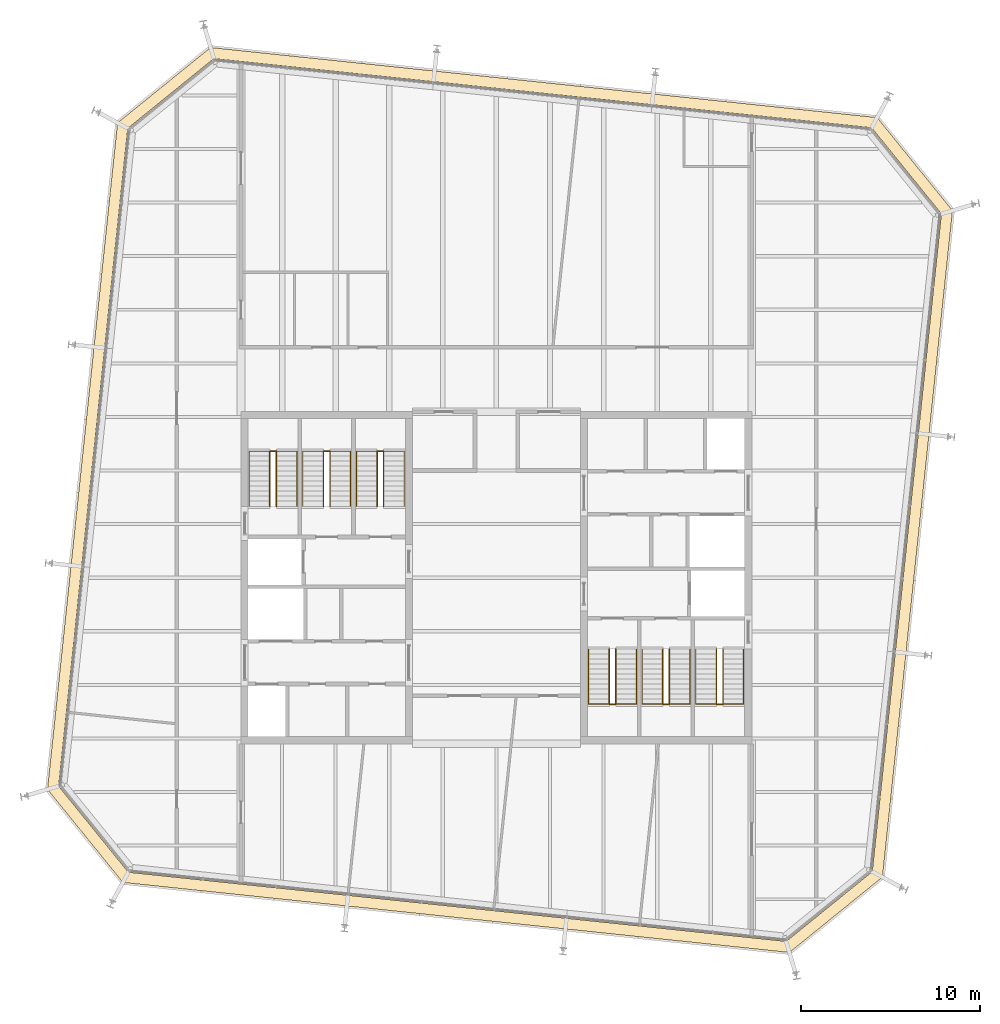
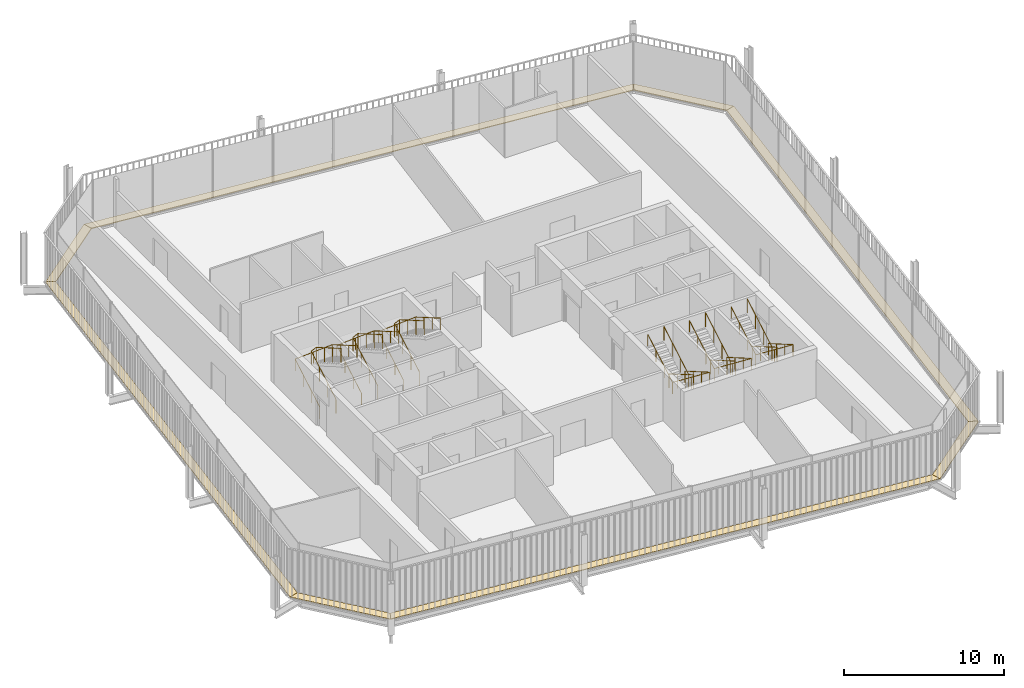
# One storey, part 20 of 20: 12 railings, 8 coverings.
"""IFC4 building model written with IfcOpenShell, lengths in metres."""

import ifcopenshell
import ifcopenshell.guid

model = None  # the IFC model being written
_history = None  # IfcOwnerHistory: only IFC2X3 demands one
_inside = {}  # id of a spatial element -> (the spatial element, [elements in it])
_under = {}  # id of a project, library or spatial element -> (it, [spatial elements below it])
_declared = {}  # id of a project -> (the project, [libraries it declares])
_typed = {}  # id of a type object -> (the type object, [elements of that type])
_made_of = {}  # id of a material, layer set ... -> (it, [elements and type objects made of it])


def new_model(schema):
    """Start an empty IFC model of exactly this schema.

    Asked for "IFC4X3", IfcOpenShell would pick the latest addendum, in which some entities
    have other attributes; the version numbers below select the first issue.
    IFC2X3 requires an IfcOwnerHistory on every rooted entity: one is made here for all.
    """
    global model, _history
    if schema == "IFC4X3":
        model = ifcopenshell.file(schema_version=(4, 3, 0, 0))
    else:
        model = ifcopenshell.file(schema=schema)
    _inside.clear()
    _under.clear()
    _declared.clear()
    _typed.clear()
    _made_of.clear()
    _history = None
    if model.schema == "IFC2X3":
        org = make("IfcOrganization", Name="unknown")
        user = make(
            "IfcPersonAndOrganization",
            ThePerson=make("IfcPerson", FamilyName="unknown"),
            TheOrganization=org,
        )
        app = make(
            "IfcApplication",
            ApplicationDeveloper=org,
            Version="unknown",
            ApplicationFullName="unknown",
            ApplicationIdentifier="unknown",
        )
        _history = make(
            "IfcOwnerHistory",
            OwningUser=user,
            OwningApplication=app,
            ChangeAction="ADDED",
            CreationDate=0,
        )
    return model


def make(cls, **values):
    """One entity of the class cls with the attributes given. An attribute that is None is left unset."""
    return model.create_entity(
        cls, **{name: value for name, value in values.items() if value is not None}
    )


def rooted(cls, **values):
    """An entity with a GlobalId (a new one), such as an element, a storey or a relation."""
    return make(cls, GlobalId=ifcopenshell.guid.new(), OwnerHistory=_history, **values)


def si_unit(unit_type, name, prefix=None):
    """IfcSIUnit, for example si_unit("LENGTHUNIT", "METRE", prefix="MILLI")."""
    return make("IfcSIUnit", UnitType=unit_type, Prefix=prefix, Name=name)


def assignment(units):
    """IfcUnitAssignment: the units of a project."""
    return None if units is None else make("IfcUnitAssignment", Units=units)


def point(xyz):
    """IfcCartesianPoint."""
    return None if xyz is None else make("IfcCartesianPoint", Coordinates=xyz)


def direction(xyz):
    """IfcDirection."""
    return None if xyz is None else make("IfcDirection", DirectionRatios=xyz)


def frame(location, z_axis=None, x_axis=None):
    """IfcAxis2Placement3D, a coordinate frame: its origin and axes. An axis left out is left unset."""
    return make(
        "IfcAxis2Placement3D",
        Location=point(location),
        Axis=direction(z_axis),
        RefDirection=direction(x_axis),
    )


def frame_2d(location, x_axis=None):
    """IfcAxis2Placement2D, a coordinate frame in the plane: its origin and x axis."""
    return make(
        "IfcAxis2Placement2D", Location=point(location), RefDirection=direction(x_axis)
    )


def origin():
    """The frame at (0, 0, 0) with its axes left unset."""
    return frame((0.0, 0.0, 0.0))


def origin_2d():
    """The frame at (0, 0) in the plane with its x axis left unset."""
    return frame_2d((0.0, 0.0))


def place(relative_to, where):
    """IfcLocalPlacement: puts the frame where relative to a parent placement (None: the world)."""
    return make(
        "IfcLocalPlacement", PlacementRelTo=relative_to, RelativePlacement=where
    )


def context(
    kind, dimensions, precision=None, world=None, true_north=None, identifier=None
):
    """IfcGeometricRepresentationContext, for example the 3D "Model" context."""
    return make(
        "IfcGeometricRepresentationContext",
        ContextIdentifier=identifier,
        ContextType=kind,
        CoordinateSpaceDimension=dimensions,
        Precision=precision,
        WorldCoordinateSystem=world,
        TrueNorth=true_north,
    )


def subcontext(parent, identifier, kind, view, scale=None):
    """IfcGeometricRepresentationSubContext, for example "Body" below "Model"."""
    return make(
        "IfcGeometricRepresentationSubContext",
        ContextIdentifier=identifier,
        ContextType=kind,
        ParentContext=parent,
        TargetScale=scale,
        TargetView=view,
    )


def project(units=None, contexts=None):
    """IfcProject with its units and contexts."""
    return rooted(
        "IfcProject",
        Name="project",
        RepresentationContexts=contexts,
        UnitsInContext=assignment(units),
    )


def spatial(cls, under=None, at=None, **own):
    """A site, building, storey or space (cls), placed at a placement, below another one or the project."""
    s = rooted(cls, ObjectPlacement=at, **own)
    if under is not None:
        _under.setdefault(under.id(), (under, []))[1].append(s)
    return s


def polyline(points):
    """IfcPolyline through the points."""
    return make("IfcPolyline", Points=[point(p) for p in points])


def profile(cls, at=None, kind="AREA", **sizes):
    """A parametric profile (cls). Its sizes go by their IFC names, for example OverallWidth=200.0."""
    return make(cls, ProfileType=kind, Position=at, **sizes)


def circle(**sizes):
    """IfcCircleProfileDef."""
    return profile("IfcCircleProfileDef", **sizes)


def outline(outer, holes=None, kind="AREA"):
    """IfcArbitraryClosedProfileDef: a profile drawn as a closed curve; with holes, ...WithVoids."""
    if holes is None:
        return make("IfcArbitraryClosedProfileDef", ProfileType=kind, OuterCurve=outer)
    return make(
        "IfcArbitraryProfileDefWithVoids",
        ProfileType=kind,
        OuterCurve=outer,
        InnerCurves=holes,
    )


def extrude(swept, where, along, depth):
    """IfcExtrudedAreaSolid: the profile swept, set in the frame where, extruded along a direction by depth."""
    return make(
        "IfcExtrudedAreaSolid",
        SweptArea=swept,
        Position=where,
        ExtrudedDirection=direction(along),
        Depth=depth,
    )


def shape(context_of_items, identifier, shape_type, items):
    """IfcShapeRepresentation: the items that make up one representation, for example the "Body"."""
    return make(
        "IfcShapeRepresentation",
        ContextOfItems=context_of_items,
        RepresentationIdentifier=identifier,
        RepresentationType=shape_type,
        Items=items,
    )


def material(Name=None, Category=None):
    """IfcMaterial."""
    return make("IfcMaterial", Name=Name, Category=Category)


def layer(
    of_material, thickness, ventilated=None, Name=None, Category=None, Priority=None
):
    """IfcMaterialLayer: one layer of a wall or slab, of a material (None: an air gap)."""
    return make(
        "IfcMaterialLayer",
        Material=of_material,
        LayerThickness=thickness,
        IsVentilated=ventilated,
        Name=Name,
        Category=Category,
        Priority=Priority,
    )


def layer_set(layers, Name=None):
    """IfcMaterialLayerSet."""
    return make("IfcMaterialLayerSet", MaterialLayers=layers, LayerSetName=Name)


def made_of(thing, what):
    """Note that an element or type object is made of a material, layer set ...; save() writes the relation."""
    if what is not None:
        _made_of.setdefault(what.id(), (what, []))[1].append(thing)
    return thing


def type_object(cls, material=None, **own):
    """A type object (cls), such as IfcWallType, which elements share."""
    return made_of(rooted(cls, **own), material)


def element(
    cls,
    number,
    at=None,
    inside=None,
    cuts=None,
    type_object=None,
    material=None,
    context=None,
    identifier="Body",
    shape_type=None,
    held_by="IfcProductDefinitionShape",
    body=None,
    shapes=None,
    **own,
):
    """One element of the class cls, such as IfcWall. Its Tag is "e" and its number.

    at: its placement. inside: the storey or other place that contains it. cuts: it is an
    opening in that element (IfcRelVoidsElement). A single representation is given by context,
    identifier, shape_type and body (its items); several are given by shapes. held_by: the class
    of the entity that holds the representations. save() writes the other relations.
    """
    e = rooted(cls, Tag="e%d" % number, ObjectPlacement=at, **own)
    if body is not None:
        shapes = [shape(context, identifier, shape_type, body)]
    if shapes is not None:
        e.Representation = make(held_by, Representations=shapes)
    if inside is not None:
        _inside.setdefault(inside.id(), (inside, []))[1].append(e)
    if cuts is not None:
        rooted(
            "IfcRelVoidsElement", RelatingBuildingElement=cuts, RelatedOpeningElement=e
        )
    if type_object is not None:
        _typed.setdefault(type_object.id(), (type_object, []))[1].append(e)
    return made_of(e, material)


def aggregate(whole, parts):
    """IfcRelAggregates: a whole, such as a stair, and the parts it consists of."""
    return rooted("IfcRelAggregates", RelatingObject=whole, RelatedObjects=parts)


def save(model, path):
    """Write the relations noted so far, then the file.

    IfcRelAggregates (storeys below a building ...), IfcRelContainedInSpatialStructure (elements
    in a storey), IfcRelDefinesByType, IfcRelAssociatesMaterial and IfcRelDeclares: one each for
    every whole, place, type object, material and project.
    """
    for whole, parts in _under.values():
        aggregate(whole, parts)
    for where, things in _inside.values():
        rooted(
            "IfcRelContainedInSpatialStructure",
            RelatedElements=things,
            RelatingStructure=where,
        )
    for kind, things in _typed.values():
        rooted("IfcRelDefinesByType", RelatedObjects=things, RelatingType=kind)
    for what, things in _made_of.values():
        rooted("IfcRelAssociatesMaterial", RelatedObjects=things, RelatingMaterial=what)
    for by, libraries in _declared.values():
        rooted("IfcRelDeclares", RelatingContext=by, RelatedDefinitions=libraries)
    model.write(path)


model = new_model("IFC4")

# Units and contexts
model_context = context("Model", 3, precision=1e-05, world=origin(), true_north=direction((0.0, 1.0)))
body_context = subcontext(model_context, "Body", "Model", "MODEL_VIEW")
ifc_project = project(units=[si_unit("LENGTHUNIT", "METRE"), si_unit("AREAUNIT", "SQUARE_METRE"), si_unit("VOLUMEUNIT", "CUBIC_METRE"), si_unit("PLANEANGLEUNIT", "RADIAN"), si_unit("MASSUNIT", "GRAM", prefix="KILO")], contexts=[model_context])

# Site, building, storey
site_placement = place(None, origin())
site = spatial("IfcSite", under=ifc_project, at=site_placement, CompositionType="ELEMENT")
building_placement = place(site_placement, origin())
building = spatial("IfcBuilding", under=site, at=building_placement, Name="Millrace Tower", CompositionType="ELEMENT")
storey_placement = place(building_placement, frame((0.0, 0.0, 287.699951171875)))
storey = spatial("IfcBuildingStorey", under=building, at=storey_placement, Name="L66", CompositionType="ELEMENT", Elevation=287.699951171875)

# Coverings
ifc_material_1 = material(Name="Steel ASTM A36", Category="steel")
ifc_layer = layer(ifc_material_1, 0.050048828125)
ifc_layer_set = layer_set([ifc_layer], Name="Steel ASTM A36")
covering_type = type_object("IfcCoveringType", Name="CAVITY CATWALK steel grating", PredefinedType="FLOORING", material=ifc_layer_set)
placement = place(storey_placement, frame((0.0, 0.0, 0.10009765625)))
element("IfcCovering", 1, at=placement, inside=storey, type_object=covering_type, Name="Cavity catwalk grating E-F01 L66 1", PredefinedType="FLOORING", context=body_context, shape_type="SweptSolid", body=[
    extrude(outline(polyline([(-25.13232421875, -11.8515625), (-20.914306640625, -17.060302734375), (-20.6044921875, -16.489501953125), (-24.509521484375, -11.6669921875), (-25.13232421875, -11.8515625)])), origin(), (0.0, 0.0, 1.0), 0.050048828125),
])
element("IfcCovering", 2, at=placement, inside=storey, type_object=covering_type, Name="Cavity catwalk grating E-F02 L66 1", PredefinedType="FLOORING", context=body_context, shape_type="SweptSolid", body=[
    extrude(outline(polyline([(-20.914306640625, -17.060302734375), (16.4013671875, -20.982177734375), (16.217041015625, -20.359619140625), (-20.6044921875, -16.489501953125), (-20.914306640625, -17.060302734375)])), origin(), (0.0, 0.0, 1.0), 0.050048828125),
])
element("IfcCovering", 3, at=placement, inside=storey, type_object=covering_type, Name="Cavity catwalk grating E-F03 L66 1", PredefinedType="FLOORING", context=body_context, shape_type="SweptSolid", body=[
    extrude(outline(polyline([(16.4013671875, -20.982177734375), (21.6103515625, -16.764404296875), (21.03955078125, -16.454345703125), (16.217041015625, -20.359619140625), (16.4013671875, -20.982177734375)])), origin(), (0.0, 0.0, 1.0), 0.050048828125),
])
element("IfcCovering", 4, at=placement, inside=storey, type_object=covering_type, Name="Cavity catwalk grating E-F04 L66 1", PredefinedType="FLOORING", context=body_context, shape_type="SweptSolid", body=[
    extrude(outline(polyline([(21.6103515625, -16.764404296875), (25.5322265625, 20.551513671875), (24.90966796875, 20.366943359375), (21.03955078125, -16.454345703125), (21.6103515625, -16.764404296875)])), origin(), (0.0, 0.0, 1.0), 0.050048828125),
])
element("IfcCovering", 5, at=placement, inside=storey, type_object=covering_type, Name="Cavity catwalk grating E-F05 L66 1", PredefinedType="FLOORING", context=body_context, shape_type="SweptSolid", body=[
    extrude(outline(polyline([(25.5322265625, 20.551513671875), (21.314208984375, 25.76025390625), (21.00439453125, 25.189453125), (24.90966796875, 20.366943359375), (25.5322265625, 20.551513671875)])), origin(), (0.0, 0.0, 1.0), 0.050048828125),
])
element("IfcCovering", 6, at=placement, inside=storey, type_object=covering_type, Name="Cavity catwalk grating E-F06 L66 1", PredefinedType="FLOORING", context=body_context, shape_type="SweptSolid", body=[
    extrude(outline(polyline([(21.314208984375, 25.76025390625), (-16.00146484375, 29.682373046875), (-15.817138671875, 29.0595703125), (21.00439453125, 25.189453125), (21.314208984375, 25.76025390625)])), origin(), (0.0, 0.0, 1.0), 0.050048828125),
])
element("IfcCovering", 7, at=placement, inside=storey, type_object=covering_type, Name="Cavity catwalk grating E-F07 L66 1", PredefinedType="FLOORING", context=body_context, shape_type="SweptSolid", body=[
    extrude(outline(polyline([(-16.00146484375, 29.682373046875), (-21.210205078125, 25.46435546875), (-20.639404296875, 25.154541015625), (-15.817138671875, 29.0595703125), (-16.00146484375, 29.682373046875)])), origin(), (0.0, 0.0, 1.0), 0.050048828125),
])
element("IfcCovering", 8, at=placement, inside=storey, type_object=covering_type, Name="Cavity catwalk grating E-F08 L66 1", PredefinedType="FLOORING", context=body_context, shape_type="SweptSolid", body=[
    extrude(outline(polyline([(-21.210205078125, 25.46435546875), (-25.13232421875, -11.8515625), (-24.509521484375, -11.6669921875), (-20.639404296875, 25.154541015625), (-21.210205078125, 25.46435546875)])), origin(), (0.0, 0.0, 1.0), 0.050048828125),
])

# Railings
ifc_material_2 = material(Name="Stainless steel ASTM A240 type 316", Category="steel")
railing_type_1 = type_object("IfcRailingType", Name="Stair guard 1100", PredefinedType="GUARDRAIL", material=ifc_material_2)
for number, where, name in (
    (9, (-12.679931640625, 4.0, 0.16259765625), "Stair guard 1 W L66"),
    (10, (-9.679931640625, 4.0, 0.16259765625), "Stair guard 2 W L66"),
    (11, (-6.679931640625, 4.0, 0.16259765625), "Stair guard 3 W L66"),
):
    element("IfcRailing", number, at=place(storey_placement, frame(where)), inside=storey, type_object=railing_type_1, Name=name, PredefinedType="GUARDRAIL", context=body_context, shape_type="SweptSolid", body=[
        extrude(circle(Radius=0.02392578125, at=origin_2d()), frame((0.0, 0.0, 1.076171875), z_axis=(0.0, 0.864920483161, 0.501908913857), x_axis=(-1.0, 0.0, 0.0)), (0.0, 0.0, 1.0), 3.56103515625),
        extrude(circle(Radius=0.02392578125, at=origin_2d()), frame((0.0, 3.080078125, 2.86328125), z_axis=(0.911295775139, 0.0, 0.411752365158), x_axis=(0.0, 1.0, 0.0)), (0.0, 0.0, 1.0), 0.394775390625),
        extrude(circle(Radius=0.02392578125, at=origin_2d()), frame((0.35986328125, 3.080078125, 3.02587890625), z_axis=(0.0, -0.864890721111, 0.501960198159), x_axis=(1.0, 0.0, 0.0)), (0.0, 0.0, 1.0), 3.561279296875),
        extrude(circle(Radius=0.02099609375, at=origin_2d()), origin(), (0.0, 0.0, 1.0), 1.052001953125),
        extrude(circle(Radius=0.02099609375, at=origin_2d()), frame((0.0, 1.026611328125, 0.595703125)), (0.0, 0.0, 1.0), 1.052001953125),
        extrude(circle(Radius=0.02099609375, at=origin_2d()), frame((0.0, 2.053466796875, 1.191650390625)), (0.0, 0.0, 1.0), 1.052001953125),
        extrude(circle(Radius=0.02099609375, at=origin_2d()), frame((0.0, 3.080078125, 1.787353515625)), (0.0, 0.0, 1.0), 1.052001953125),
        extrude(circle(Radius=0.02099609375, at=origin_2d()), frame((0.35986328125, 3.080078125, 1.949951171875)), (0.0, 0.0, 1.0), 1.052001953125),
        extrude(circle(Radius=0.02099609375, at=origin_2d()), frame((0.35986328125, 2.053466796875, 2.5458984375)), (0.0, 0.0, 1.0), 1.052001953125),
        extrude(circle(Radius=0.02099609375, at=origin_2d()), frame((0.35986328125, 1.026611328125, 3.1416015625)), (0.0, 0.0, 1.0), 1.052001953125),
        extrude(circle(Radius=0.02099609375, at=origin_2d()), frame((0.35986328125, 0.0, 3.737548828125)), (0.0, 0.0, 1.0), 1.052001953125),
    ])
for number, where, name in (
    (12, (12.679931640625, -4.0, 0.16259765625), "Stair guard 1 E L66"),
    (13, (9.679931640625, -4.0, 0.16259765625), "Stair guard 2 E L66"),
    (14, (6.679931640625, -4.0, 0.16259765625), "Stair guard 3 E L66"),
):
    element("IfcRailing", number, at=place(storey_placement, frame(where)), inside=storey, type_object=railing_type_1, Name=name, PredefinedType="GUARDRAIL", context=body_context, shape_type="SweptSolid", body=[
        extrude(circle(Radius=0.02392578125, at=origin_2d()), frame((0.0, 0.0, 1.076171875), z_axis=(0.0, -0.864920483161, 0.501908913857), x_axis=(1.0, 0.0, 0.0)), (0.0, 0.0, 1.0), 3.56103515625),
        extrude(circle(Radius=0.02392578125, at=origin_2d()), frame((0.0, -3.080078125, 2.86328125), z_axis=(-0.911295775139, 0.0, 0.411752365158), x_axis=(0.0, -1.0, 0.0)), (0.0, 0.0, 1.0), 0.394775390625),
        extrude(circle(Radius=0.02392578125, at=origin_2d()), frame((-0.35986328125, -3.080078125, 3.02587890625), z_axis=(0.0, 0.864890721111, 0.501960198159), x_axis=(-1.0, 0.0, 0.0)), (0.0, 0.0, 1.0), 3.561279296875),
        extrude(circle(Radius=0.02099609375, at=origin_2d()), origin(), (0.0, 0.0, 1.0), 1.052001953125),
        extrude(circle(Radius=0.02099609375, at=origin_2d()), frame((0.0, -1.026611328125, 0.595703125)), (0.0, 0.0, 1.0), 1.052001953125),
        extrude(circle(Radius=0.02099609375, at=origin_2d()), frame((0.0, -2.053466796875, 1.191650390625)), (0.0, 0.0, 1.0), 1.052001953125),
        extrude(circle(Radius=0.02099609375, at=origin_2d()), frame((0.0, -3.080078125, 1.787353515625)), (0.0, 0.0, 1.0), 1.052001953125),
        extrude(circle(Radius=0.02099609375, at=origin_2d()), frame((-0.35986328125, -3.080078125, 1.949951171875)), (0.0, 0.0, 1.0), 1.052001953125),
        extrude(circle(Radius=0.02099609375, at=origin_2d()), frame((-0.35986328125, -2.053466796875, 2.5458984375)), (0.0, 0.0, 1.0), 1.052001953125),
        extrude(circle(Radius=0.02099609375, at=origin_2d()), frame((-0.35986328125, -1.026611328125, 3.1416015625)), (0.0, 0.0, 1.0), 1.052001953125),
        extrude(circle(Radius=0.02099609375, at=origin_2d()), frame((-0.35986328125, 0.0, 3.737548828125)), (0.0, 0.0, 1.0), 1.052001953125),
    ])
ifc_material_3 = material(Name="Stainless steel ASTM A240 type 316", Category="steel")
railing_type_2 = type_object("IfcRailingType", Name="Stair handrail 900", PredefinedType="HANDRAIL", material=ifc_material_3)
railing_1_placement = place(storey_placement, frame((-13.840087890625, 4.0, 0.16259765625)))
element("IfcRailing", 15, at=railing_1_placement, inside=storey, type_object=railing_type_2, Name="Stair handrail 1 W L66", PredefinedType="HANDRAIL", context=body_context, shape_type="SweptSolid", body=[
    extrude(circle(Radius=0.02392578125, at=origin_2d()), frame((0.0, 0.0, 0.8759765625), z_axis=(0.0, 0.864920483161, 0.501908913857), x_axis=(-1.0, 0.0, 0.0)), (0.0, 0.0, 1.0), 3.56103515625),
    extrude(circle(Radius=0.02392578125, at=origin_2d()), frame((0.0, 3.080078125, 2.6630859375), z_axis=(0.998164834547, 0.0, 0.060555454528), x_axis=(0.0, 1.0, 0.0)), (0.0, 0.0, 1.0), 2.68505859375),
    extrude(circle(Radius=0.02392578125, at=origin_2d()), frame((2.68017578125, 3.080078125, 2.82568359375), z_axis=(0.0, -0.864890721111, 0.501960198159), x_axis=(1.0, 0.0, 0.0)), (0.0, 0.0, 1.0), 3.561279296875),
    extrude(circle(Radius=0.02099609375, at=origin_2d()), origin(), (0.0, 0.0, 1.0), 0.851806640625),
    extrude(circle(Radius=0.02099609375, at=origin_2d()), frame((0.0, 1.026611328125, 0.595703125)), (0.0, 0.0, 1.0), 0.851806640625),
    extrude(circle(Radius=0.02099609375, at=origin_2d()), frame((0.0, 2.053466796875, 1.191650390625)), (0.0, 0.0, 1.0), 0.851806640625),
    extrude(circle(Radius=0.02099609375, at=origin_2d()), frame((0.0, 3.080078125, 1.787353515625)), (0.0, 0.0, 1.0), 0.851806640625),
    extrude(circle(Radius=0.02099609375, at=origin_2d()), frame((1.340087890625, 3.080078125, 1.86865234375)), (0.0, 0.0, 1.0), 0.851806640625),
    extrude(circle(Radius=0.02099609375, at=origin_2d()), frame((2.68017578125, 3.080078125, 1.949951171875)), (0.0, 0.0, 1.0), 0.851806640625),
    extrude(circle(Radius=0.02099609375, at=origin_2d()), frame((2.68017578125, 2.053466796875, 2.5458984375)), (0.0, 0.0, 1.0), 0.851806640625),
    extrude(circle(Radius=0.02099609375, at=origin_2d()), frame((2.68017578125, 1.026611328125, 3.1416015625)), (0.0, 0.0, 1.0), 0.851806640625),
    extrude(circle(Radius=0.02099609375, at=origin_2d()), frame((2.68017578125, 0.0, 3.737548828125)), (0.0, 0.0, 1.0), 0.851806640625),
])
railing_2_placement = place(storey_placement, frame((-10.840087890625, 4.0, 0.16259765625)))
element("IfcRailing", 16, at=railing_2_placement, inside=storey, type_object=railing_type_2, Name="Stair handrail 2 W L66", PredefinedType="HANDRAIL", context=body_context, shape_type="SweptSolid", body=[
    extrude(circle(Radius=0.02392578125, at=origin_2d()), frame((0.0, 0.0, 0.8759765625), z_axis=(0.0, 0.864920483161, 0.501908913857), x_axis=(-1.0, 0.0, 0.0)), (0.0, 0.0, 1.0), 3.56103515625),
    extrude(circle(Radius=0.02392578125, at=origin_2d()), frame((0.0, 3.080078125, 2.6630859375), z_axis=(0.998164834547, 0.0, 0.060555454528), x_axis=(0.0, 1.0, 0.0)), (0.0, 0.0, 1.0), 2.68505859375),
    extrude(circle(Radius=0.02392578125, at=origin_2d()), frame((2.68017578125, 3.080078125, 2.82568359375), z_axis=(0.0, -0.864890721111, 0.501960198159), x_axis=(1.0, 0.0, 0.0)), (0.0, 0.0, 1.0), 3.561279296875),
    extrude(circle(Radius=0.02099609375, at=origin_2d()), origin(), (0.0, 0.0, 1.0), 0.851806640625),
    extrude(circle(Radius=0.02099609375, at=origin_2d()), frame((0.0, 1.026611328125, 0.595703125)), (0.0, 0.0, 1.0), 0.851806640625),
    extrude(circle(Radius=0.02099609375, at=origin_2d()), frame((0.0, 2.053466796875, 1.191650390625)), (0.0, 0.0, 1.0), 0.851806640625),
    extrude(circle(Radius=0.02099609375, at=origin_2d()), frame((0.0, 3.080078125, 1.787353515625)), (0.0, 0.0, 1.0), 0.851806640625),
    extrude(circle(Radius=0.02099609375, at=origin_2d()), frame((1.340087890625, 3.080078125, 1.86865234375)), (0.0, 0.0, 1.0), 0.851806640625),
    extrude(circle(Radius=0.02099609375, at=origin_2d()), frame((2.68017578125, 3.080078125, 1.949951171875)), (0.0, 0.0, 1.0), 0.851806640625),
    extrude(circle(Radius=0.02099609375, at=origin_2d()), frame((2.68017578125, 2.053466796875, 2.5458984375)), (0.0, 0.0, 1.0), 0.851806640625),
    extrude(circle(Radius=0.02099609375, at=origin_2d()), frame((2.68017578125, 1.026611328125, 3.1416015625)), (0.0, 0.0, 1.0), 0.851806640625),
    extrude(circle(Radius=0.02099609375, at=origin_2d()), frame((2.68017578125, 0.0, 3.737548828125)), (0.0, 0.0, 1.0), 0.851806640625),
])
railing_3_placement = place(storey_placement, frame((-7.840087890625, 4.0, 0.16259765625)))
element("IfcRailing", 17, at=railing_3_placement, inside=storey, type_object=railing_type_2, Name="Stair handrail 3 W L66", PredefinedType="HANDRAIL", context=body_context, shape_type="SweptSolid", body=[
    extrude(circle(Radius=0.02392578125, at=origin_2d()), frame((0.0, 0.0, 0.8759765625), z_axis=(0.0, 0.864920483161, 0.501908913857), x_axis=(-1.0, 0.0, 0.0)), (0.0, 0.0, 1.0), 3.56103515625),
    extrude(circle(Radius=0.02392578125, at=origin_2d()), frame((0.0, 3.080078125, 2.6630859375), z_axis=(0.998164834547, 0.0, 0.060555454528), x_axis=(0.0, 1.0, 0.0)), (0.0, 0.0, 1.0), 2.68505859375),
    extrude(circle(Radius=0.02392578125, at=origin_2d()), frame((2.68017578125, 3.080078125, 2.82568359375), z_axis=(0.0, -0.864890721111, 0.501960198159), x_axis=(1.0, 0.0, 0.0)), (0.0, 0.0, 1.0), 3.561279296875),
    extrude(circle(Radius=0.02099609375, at=origin_2d()), origin(), (0.0, 0.0, 1.0), 0.851806640625),
    extrude(circle(Radius=0.02099609375, at=origin_2d()), frame((0.0, 1.026611328125, 0.595703125)), (0.0, 0.0, 1.0), 0.851806640625),
    extrude(circle(Radius=0.02099609375, at=origin_2d()), frame((0.0, 2.053466796875, 1.191650390625)), (0.0, 0.0, 1.0), 0.851806640625),
    extrude(circle(Radius=0.02099609375, at=origin_2d()), frame((0.0, 3.080078125, 1.787353515625)), (0.0, 0.0, 1.0), 0.851806640625),
    extrude(circle(Radius=0.02099609375, at=origin_2d()), frame((1.340087890625, 3.080078125, 1.86865234375)), (0.0, 0.0, 1.0), 0.851806640625),
    extrude(circle(Radius=0.02099609375, at=origin_2d()), frame((2.68017578125, 3.080078125, 1.949951171875)), (0.0, 0.0, 1.0), 0.851806640625),
    extrude(circle(Radius=0.02099609375, at=origin_2d()), frame((2.68017578125, 2.053466796875, 2.5458984375)), (0.0, 0.0, 1.0), 0.851806640625),
    extrude(circle(Radius=0.02099609375, at=origin_2d()), frame((2.68017578125, 1.026611328125, 3.1416015625)), (0.0, 0.0, 1.0), 0.851806640625),
    extrude(circle(Radius=0.02099609375, at=origin_2d()), frame((2.68017578125, 0.0, 3.737548828125)), (0.0, 0.0, 1.0), 0.851806640625),
])
railing_4_placement = place(storey_placement, frame((13.840087890625, -4.0, 0.16259765625)))
element("IfcRailing", 18, at=railing_4_placement, inside=storey, type_object=railing_type_2, Name="Stair handrail 1 E L66", PredefinedType="HANDRAIL", context=body_context, shape_type="SweptSolid", body=[
    extrude(circle(Radius=0.02392578125, at=origin_2d()), frame((0.0, 0.0, 0.8759765625), z_axis=(0.0, -0.864920483161, 0.501908913857), x_axis=(1.0, 0.0, 0.0)), (0.0, 0.0, 1.0), 3.56103515625),
    extrude(circle(Radius=0.02392578125, at=origin_2d()), frame((0.0, -3.080078125, 2.6630859375), z_axis=(-0.998164834547, 0.0, 0.060555454528), x_axis=(0.0, -1.0, 0.0)), (0.0, 0.0, 1.0), 2.68505859375),
    extrude(circle(Radius=0.02392578125, at=origin_2d()), frame((-2.68017578125, -3.080078125, 2.82568359375), z_axis=(0.0, 0.864890721111, 0.501960198159), x_axis=(-1.0, 0.0, 0.0)), (0.0, 0.0, 1.0), 3.561279296875),
    extrude(circle(Radius=0.02099609375, at=origin_2d()), origin(), (0.0, 0.0, 1.0), 0.851806640625),
    extrude(circle(Radius=0.02099609375, at=origin_2d()), frame((0.0, -1.026611328125, 0.595703125)), (0.0, 0.0, 1.0), 0.851806640625),
    extrude(circle(Radius=0.02099609375, at=origin_2d()), frame((0.0, -2.053466796875, 1.191650390625)), (0.0, 0.0, 1.0), 0.851806640625),
    extrude(circle(Radius=0.02099609375, at=origin_2d()), frame((0.0, -3.080078125, 1.787353515625)), (0.0, 0.0, 1.0), 0.851806640625),
    extrude(circle(Radius=0.02099609375, at=origin_2d()), frame((-1.340087890625, -3.080078125, 1.86865234375)), (0.0, 0.0, 1.0), 0.851806640625),
    extrude(circle(Radius=0.02099609375, at=origin_2d()), frame((-2.68017578125, -3.080078125, 1.949951171875)), (0.0, 0.0, 1.0), 0.851806640625),
    extrude(circle(Radius=0.02099609375, at=origin_2d()), frame((-2.68017578125, -2.053466796875, 2.5458984375)), (0.0, 0.0, 1.0), 0.851806640625),
    extrude(circle(Radius=0.02099609375, at=origin_2d()), frame((-2.68017578125, -1.026611328125, 3.1416015625)), (0.0, 0.0, 1.0), 0.851806640625),
    extrude(circle(Radius=0.02099609375, at=origin_2d()), frame((-2.68017578125, 0.0, 3.737548828125)), (0.0, 0.0, 1.0), 0.851806640625),
])
railing_5_placement = place(storey_placement, frame((10.840087890625, -4.0, 0.16259765625)))
element("IfcRailing", 19, at=railing_5_placement, inside=storey, type_object=railing_type_2, Name="Stair handrail 2 E L66", PredefinedType="HANDRAIL", context=body_context, shape_type="SweptSolid", body=[
    extrude(circle(Radius=0.02392578125, at=origin_2d()), frame((0.0, 0.0, 0.8759765625), z_axis=(0.0, -0.864920483161, 0.501908913857), x_axis=(1.0, 0.0, 0.0)), (0.0, 0.0, 1.0), 3.56103515625),
    extrude(circle(Radius=0.02392578125, at=origin_2d()), frame((0.0, -3.080078125, 2.6630859375), z_axis=(-0.998164834547, 0.0, 0.060555454528), x_axis=(0.0, -1.0, 0.0)), (0.0, 0.0, 1.0), 2.68505859375),
    extrude(circle(Radius=0.02392578125, at=origin_2d()), frame((-2.68017578125, -3.080078125, 2.82568359375), z_axis=(0.0, 0.864890721111, 0.501960198159), x_axis=(-1.0, 0.0, 0.0)), (0.0, 0.0, 1.0), 3.561279296875),
    extrude(circle(Radius=0.02099609375, at=origin_2d()), origin(), (0.0, 0.0, 1.0), 0.851806640625),
    extrude(circle(Radius=0.02099609375, at=origin_2d()), frame((0.0, -1.026611328125, 0.595703125)), (0.0, 0.0, 1.0), 0.851806640625),
    extrude(circle(Radius=0.02099609375, at=origin_2d()), frame((0.0, -2.053466796875, 1.191650390625)), (0.0, 0.0, 1.0), 0.851806640625),
    extrude(circle(Radius=0.02099609375, at=origin_2d()), frame((0.0, -3.080078125, 1.787353515625)), (0.0, 0.0, 1.0), 0.851806640625),
    extrude(circle(Radius=0.02099609375, at=origin_2d()), frame((-1.340087890625, -3.080078125, 1.86865234375)), (0.0, 0.0, 1.0), 0.851806640625),
    extrude(circle(Radius=0.02099609375, at=origin_2d()), frame((-2.68017578125, -3.080078125, 1.949951171875)), (0.0, 0.0, 1.0), 0.851806640625),
    extrude(circle(Radius=0.02099609375, at=origin_2d()), frame((-2.68017578125, -2.053466796875, 2.5458984375)), (0.0, 0.0, 1.0), 0.851806640625),
    extrude(circle(Radius=0.02099609375, at=origin_2d()), frame((-2.68017578125, -1.026611328125, 3.1416015625)), (0.0, 0.0, 1.0), 0.851806640625),
    extrude(circle(Radius=0.02099609375, at=origin_2d()), frame((-2.68017578125, 0.0, 3.737548828125)), (0.0, 0.0, 1.0), 0.851806640625),
])
railing_6_placement = place(storey_placement, frame((7.840087890625, -4.0, 0.16259765625)))
element("IfcRailing", 20, at=railing_6_placement, inside=storey, type_object=railing_type_2, Name="Stair handrail 3 E L66", PredefinedType="HANDRAIL", context=body_context, shape_type="SweptSolid", body=[
    extrude(circle(Radius=0.02392578125, at=origin_2d()), frame((0.0, 0.0, 0.8759765625), z_axis=(0.0, -0.864920483161, 0.501908913857), x_axis=(1.0, 0.0, 0.0)), (0.0, 0.0, 1.0), 3.56103515625),
    extrude(circle(Radius=0.02392578125, at=origin_2d()), frame((0.0, -3.080078125, 2.6630859375), z_axis=(-0.998164834547, 0.0, 0.060555454528), x_axis=(0.0, -1.0, 0.0)), (0.0, 0.0, 1.0), 2.68505859375),
    extrude(circle(Radius=0.02392578125, at=origin_2d()), frame((-2.68017578125, -3.080078125, 2.82568359375), z_axis=(0.0, 0.864890721111, 0.501960198159), x_axis=(-1.0, 0.0, 0.0)), (0.0, 0.0, 1.0), 3.561279296875),
    extrude(circle(Radius=0.02099609375, at=origin_2d()), origin(), (0.0, 0.0, 1.0), 0.851806640625),
    extrude(circle(Radius=0.02099609375, at=origin_2d()), frame((0.0, -1.026611328125, 0.595703125)), (0.0, 0.0, 1.0), 0.851806640625),
    extrude(circle(Radius=0.02099609375, at=origin_2d()), frame((0.0, -2.053466796875, 1.191650390625)), (0.0, 0.0, 1.0), 0.851806640625),
    extrude(circle(Radius=0.02099609375, at=origin_2d()), frame((0.0, -3.080078125, 1.787353515625)), (0.0, 0.0, 1.0), 0.851806640625),
    extrude(circle(Radius=0.02099609375, at=origin_2d()), frame((-1.340087890625, -3.080078125, 1.86865234375)), (0.0, 0.0, 1.0), 0.851806640625),
    extrude(circle(Radius=0.02099609375, at=origin_2d()), frame((-2.68017578125, -3.080078125, 1.949951171875)), (0.0, 0.0, 1.0), 0.851806640625),
    extrude(circle(Radius=0.02099609375, at=origin_2d()), frame((-2.68017578125, -2.053466796875, 2.5458984375)), (0.0, 0.0, 1.0), 0.851806640625),
    extrude(circle(Radius=0.02099609375, at=origin_2d()), frame((-2.68017578125, -1.026611328125, 3.1416015625)), (0.0, 0.0, 1.0), 0.851806640625),
    extrude(circle(Radius=0.02099609375, at=origin_2d()), frame((-2.68017578125, 0.0, 3.737548828125)), (0.0, 0.0, 1.0), 0.851806640625),
])

save(model, "model.ifc")
